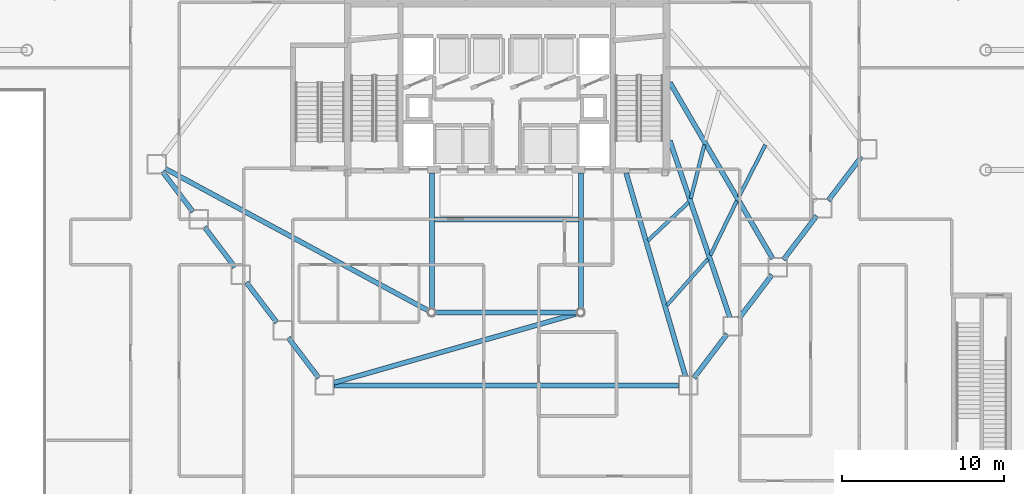
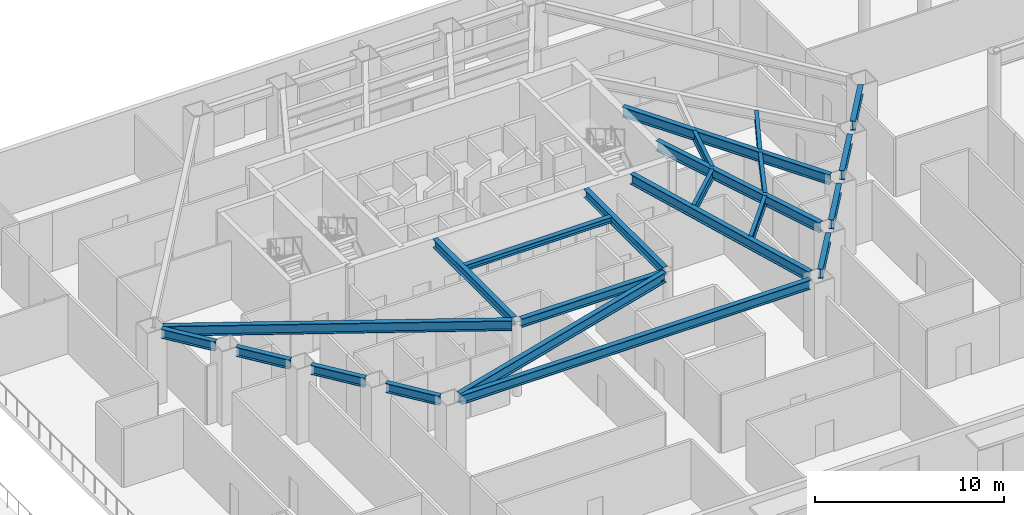
# One storey, part 9 of 31: 23 beams.
"""IFC4 building model written with IfcOpenShell, lengths in metres."""

from ifc_helpers import new_model, si_unit, direction, frame, origin, origin_2d, place, context, subcontext, project, spatial, i_section, extrude, material, material_profile, profile_set, type_object, element, save


model = new_model("IFC4")

# Units and contexts
model_context = context("Model", 3, precision=1e-05, world=origin(), true_north=direction((0.0, 1.0)))
body_context = subcontext(model_context, "Body", "Model", "MODEL_VIEW")
ifc_project = project(units=[si_unit("LENGTHUNIT", "METRE"), si_unit("AREAUNIT", "SQUARE_METRE"), si_unit("VOLUMEUNIT", "CUBIC_METRE"), si_unit("PLANEANGLEUNIT", "RADIAN"), si_unit("MASSUNIT", "GRAM", prefix="KILO")], contexts=[model_context])

# Site, building, storey
site_placement = place(None, origin())
site = spatial("IfcSite", under=ifc_project, at=site_placement, CompositionType="ELEMENT")
building_placement = place(site_placement, origin())
building = spatial("IfcBuilding", under=site, at=building_placement, Name="Zarrinselat Tower", CompositionType="ELEMENT")
storey_placement = place(building_placement, origin())
storey = spatial("IfcBuildingStorey", under=building, at=storey_placement, Name="L00", CompositionType="ELEMENT", Elevation=0.0)

# Beams
ifc_material_1 = material(Name="Steel S355J2", Category="steel")
ifc_material_profile_1 = material_profile(ifc_material_1, i_section(OverallWidth=0.300048828125, OverallDepth=0.35009765625, WebThickness=0.010009765625, FlangeThickness=0.017578125, at=origin_2d()), Name="HEA 360")
ifc_profile_set_1 = profile_set([ifc_material_profile_1], Name="Steel S355J2")
beam_type_1 = type_object("IfcBeamType", Name="BM-HEA360", PredefinedType="LINTEL", material=ifc_profile_set_1)
beam_1_placement = place(storey_placement, frame((33.93994140625, 30.14990234375, 4.64501953125), z_axis=(1.0, 0.0, 0.0), x_axis=(0.0, 1.0, 0.0)))
element("IfcBeam", 1, at=beam_1_placement, inside=storey, type_object=beam_type_1, Name="L00 Lift Lobby Ceiling Beam", PredefinedType="LINTEL", context=body_context, shape_type="SweptSolid", body=[
    extrude(i_section(OverallWidth=0.300048828125, OverallDepth=0.35009765625, WebThickness=0.010009765625, FlangeThickness=0.017578125, at=origin_2d()), origin(), (0.0, 0.0, 1.0), 8.920166015625),
])
ifc_material_2 = material(Name="Steel S355J2", Category="steel")
ifc_material_profile_2 = material_profile(ifc_material_2, i_section(OverallWidth=0.300048828125, OverallDepth=0.550048828125, WebThickness=0.014892578125, FlangeThickness=0.029052734375, at=origin_2d()), Name="HEB 550")
ifc_profile_set_2 = profile_set([ifc_material_profile_2], Name="Steel S355J2")
beam_type_2 = type_object("IfcBeamType", Name="BM-HEB550", PredefinedType="BEAM", material=ifc_profile_set_2)
beam_2_placement = place(storey_placement, frame((34.0400390625, 24.39990234375, 4.544921875), z_axis=(1.0, 0.0, 0.0), x_axis=(0.0, 1.0, 0.0)))
element("IfcBeam", 2, at=beam_2_placement, inside=storey, type_object=beam_type_2, Name="L00 Atrium Edge Beam S", PredefinedType="BEAM", context=body_context, shape_type="SweptSolid", body=[
    extrude(i_section(OverallWidth=0.300048828125, OverallDepth=0.550048828125, WebThickness=0.014892578125, FlangeThickness=0.029052734375, at=origin_2d()), origin(), (0.0, 0.0, 1.0), 8.719970703125),
])
for number, where, z_axis, x_axis, name in (
    (3, (33.800048828125, 24.639892578125, 4.544921875), (0.0, 1.0, 0.0), (-1.0, 0.0, 0.0), "L00 Atrium Edge Beam W"),
    (4, (43.0, 24.639892578125, 4.544921875), (0.0, 1.0, 0.0), (-1.0, 0.0, 0.0), "L00 Atrium Edge Beam E"),
):
    element("IfcBeam", number, at=place(storey_placement, frame(where, z_axis=z_axis, x_axis=x_axis)), inside=storey, type_object=beam_type_2, Name=name, PredefinedType="BEAM", context=body_context, shape_type="SweptSolid", body=[
        extrude(i_section(OverallWidth=0.300048828125, OverallDepth=0.550048828125, WebThickness=0.014892578125, FlangeThickness=0.029052734375, at=origin_2d()), origin(), (0.0, 0.0, 1.0), 8.3701171875),
    ])
ifc_material_3 = material(Name="Steel S355J2", Category="steel")
ifc_material_profile_3 = material_profile(ifc_material_3, i_section(OverallWidth=0.300048828125, OverallDepth=0.60009765625, WebThickness=0.015380859375, FlangeThickness=0.030029296875, at=origin_2d()), Name="HEB 600")
ifc_profile_set_3 = profile_set([ifc_material_profile_3], Name="Steel S355J2")
beam_type_3 = type_object("IfcBeamType", Name="BM-HEB600", PredefinedType="BEAM", material=ifc_profile_set_3)
for number, where, z_axis, x_axis, name in (
    (5, (17.170654296875, 33.099365234375, 4.52001953125), (0.603821437922, -0.797119609033, 0.0), (0.797119609033, 0.603821437922, 0.0), "L00 Perimeter Spandrel Girder SP06"),
    (6, (19.760009765625, 29.681396484375, 4.52001953125), (0.603821437922, -0.797119609033, 0.0), (0.797119609033, 0.603821437922, 0.0), "L00 Perimeter Spandrel Girder SP07"),
):
    element("IfcBeam", number, at=place(storey_placement, frame(where, z_axis=z_axis, x_axis=x_axis)), inside=storey, type_object=beam_type_3, Name=name, PredefinedType="BEAM", context=body_context, shape_type="SweptSolid", body=[
        extrude(i_section(OverallWidth=0.300048828125, OverallDepth=0.60009765625, WebThickness=0.015380859375, FlangeThickness=0.030029296875, at=origin_2d()), origin(), (0.0, 0.0, 1.0), 3.112060546875),
    ])
for number, where, z_axis, x_axis, name in (
    (7, (22.349365234375, 26.26318359375, 4.52001953125), (0.603859198483, -0.797091003843, 0.0), (0.797091003843, 0.603859198483, 0.0), "L00 Perimeter Spandrel Girder SP08"),
    (8, (24.938720703125, 22.84521484375, 4.52001953125), (0.603859198483, -0.797091003843, 0.0), (0.797091003843, 0.603859198483, 0.0), "L00 Perimeter Spandrel Girder SP09"),
):
    element("IfcBeam", number, at=place(storey_placement, frame(where, z_axis=z_axis, x_axis=x_axis)), inside=storey, type_object=beam_type_3, Name=name, PredefinedType="BEAM", context=body_context, shape_type="SweptSolid", body=[
        extrude(i_section(OverallWidth=0.300048828125, OverallDepth=0.60009765625, WebThickness=0.015380859375, FlangeThickness=0.030029296875, at=origin_2d()), origin(), (0.0, 0.0, 1.0), 3.11181640625),
    ])
beam_3_placement = place(storey_placement, frame((27.760986328125, 19.89599609375, 4.52001953125), z_axis=(1.0, 0.0, 0.0), x_axis=(0.0, 1.0, 0.0)))
element("IfcBeam", 9, at=beam_3_placement, inside=storey, type_object=beam_type_3, Name="L00 Perimeter Spandrel Girder SP10", PredefinedType="BEAM", context=body_context, shape_type="SweptSolid", body=[
    extrude(i_section(OverallWidth=0.300048828125, OverallDepth=0.60009765625, WebThickness=0.015380859375, FlangeThickness=0.030029296875, at=origin_2d()), origin(), (0.0, 0.0, 1.0), 21.278076171875),
])
for number, where, z_axis, x_axis, name in (
    (10, (49.982177734375, 20.36474609375, 4.52001953125), (0.603839725389, 0.797105755871, 0.0), (-0.797105755871, 0.603839725389, 0.0), "L00 Perimeter Spandrel Girder SP11"),
    (11, (52.74658203125, 24.013671875, 4.52001953125), (0.603794123872, 0.797140298804, 0.0), (-0.797140298804, 0.603794123872, 0.0), "L00 Perimeter Spandrel Girder SP12"),
    (12, (55.5107421875, 27.66259765625, 4.52001953125), (0.603839725389, 0.797105755871, 0.0), (-0.797105755871, 0.603839725389, 0.0), "L00 Perimeter Spandrel Girder SP13"),
):
    element("IfcBeam", number, at=place(storey_placement, frame(where, z_axis=z_axis, x_axis=x_axis)), inside=storey, type_object=beam_type_3, Name=name, PredefinedType="BEAM", context=body_context, shape_type="SweptSolid", body=[
        extrude(i_section(OverallWidth=0.300048828125, OverallDepth=0.60009765625, WebThickness=0.015380859375, FlangeThickness=0.030029296875, at=origin_2d()), origin(), (0.0, 0.0, 1.0), 3.40185546875),
    ])
beam_4_placement = place(storey_placement, frame((58.275146484375, 31.311767578125, 4.52001953125), z_axis=(0.603874269539, 0.797079586107, 0.0), x_axis=(-0.797079586107, 0.603874269539, 0.0)))
element("IfcBeam", 13, at=beam_4_placement, inside=storey, type_object=beam_type_3, Name="L00 Perimeter Spandrel Girder SP14", PredefinedType="BEAM", context=body_context, shape_type="SweptSolid", body=[
    extrude(i_section(OverallWidth=0.300048828125, OverallDepth=0.60009765625, WebThickness=0.015380859375, FlangeThickness=0.030029296875, at=origin_2d()), origin(), (0.0, 0.0, 1.0), 3.401611328125),
])
ifc_material_4 = material(Name="Steel S355J2", Category="steel")
ifc_material_profile_4 = material_profile(ifc_material_4, i_section(OverallWidth=0.300048828125, OverallDepth=0.64990234375, WebThickness=0.01611328125, FlangeThickness=0.031005859375, at=origin_2d()), Name="HEB 650")
ifc_profile_set_4 = profile_set([ifc_material_profile_4], Name="Steel S355J2")
beam_type_4 = type_object("IfcBeamType", Name="BM-HEB650", PredefinedType="BEAM", material=ifc_profile_set_4)
beam_5_placement = place(storey_placement, frame((17.34521484375, 33.281982421875, 4.4951171875), z_axis=(0.879987931642, -0.474996042262, 0.0), x_axis=(0.474996042262, 0.879987931642, 0.0)))
element("IfcBeam", 14, at=beam_5_placement, inside=storey, type_object=beam_type_4, Name="L00 Radial Primary Girder RG06", PredefinedType="BEAM", context=body_context, shape_type="SweptSolid", body=[
    extrude(i_section(OverallWidth=0.300048828125, OverallDepth=0.64990234375, WebThickness=0.01611328125, FlangeThickness=0.031005859375, at=origin_2d()), origin(), (0.0, 0.0, 1.0), 18.448974609375),
])
beam_6_placement = place(storey_placement, frame((27.751953125, 20.060791015625, 4.4951171875), z_axis=(0.961813317546, 0.273706306451, 0.0), x_axis=(-0.273706306451, 0.961813317546, 0.0)))
element("IfcBeam", 15, at=beam_6_placement, inside=storey, type_object=beam_type_4, Name="L00 Radial Primary Girder RG10", PredefinedType="BEAM", context=body_context, shape_type="SweptSolid", body=[
    extrude(i_section(OverallWidth=0.300048828125, OverallDepth=0.64990234375, WebThickness=0.01611328125, FlangeThickness=0.031005859375, at=origin_2d()), origin(), (0.0, 0.0, 1.0), 15.603515625),
])
beam_7_placement = place(storey_placement, frame((45.800048828125, 33.010009765625, 4.4951171875), z_axis=(0.280146446872, -0.959957274208, 0.0), x_axis=(0.959957274208, 0.280146446872, 0.0)))
element("IfcBeam", 16, at=beam_7_placement, inside=storey, type_object=beam_type_4, Name="L00 Radial Primary Girder RG11", PredefinedType="BEAM", context=body_context, shape_type="SweptSolid", body=[
    extrude(i_section(OverallWidth=0.300048828125, OverallDepth=0.64990234375, WebThickness=0.01611328125, FlangeThickness=0.031005859375, at=origin_2d()), origin(), (0.0, 0.0, 1.0), 13.05908203125),
])
beam_8_placement = place(storey_placement, frame((48.5, 35.0, 4.4951171875), z_axis=(0.321657151758, -0.946856206994, 0.0), x_axis=(0.946856206994, 0.321657151758, 0.0)))
element("IfcBeam", 17, at=beam_8_placement, inside=storey, type_object=beam_type_4, Name="L00 Radial Primary Girder RG12", PredefinedType="BEAM", context=body_context, shape_type="SweptSolid", body=[
    extrude(i_section(OverallWidth=0.300048828125, OverallDepth=0.64990234375, WebThickness=0.01611328125, FlangeThickness=0.031005859375, at=origin_2d()), origin(), (0.0, 0.0, 1.0), 11.495849609375),
])
beam_9_placement = place(storey_placement, frame((48.5, 38.60009765625, 4.4951171875), z_axis=(0.50399747949, -0.863705123678, 0.0), x_axis=(0.863705123678, 0.50399747949, 0.0)))
element("IfcBeam", 18, at=beam_9_placement, inside=storey, type_object=beam_type_4, Name="L00 Radial Primary Girder RG13", PredefinedType="BEAM", context=body_context, shape_type="SweptSolid", body=[
    extrude(i_section(OverallWidth=0.300048828125, OverallDepth=0.64990234375, WebThickness=0.01611328125, FlangeThickness=0.031005859375, at=origin_2d()), origin(), (0.0, 0.0, 1.0), 12.603759765625),
])
ifc_material_5 = material(Name="Steel S355J2", Category="steel")
ifc_material_profile_5 = material_profile(ifc_material_5, i_section(OverallWidth=0.219970703125, OverallDepth=0.60009765625, WebThickness=0.011962890625, FlangeThickness=0.01904296875, at=origin_2d()), Name="IPE 600")
ifc_profile_set_5 = profile_set([ifc_material_profile_5], Name="Steel S355J2")
beam_type_5 = type_object("IfcBeamType", Name="BM-IPE600", PredefinedType="JOIST", material=ifc_profile_set_5)
beam_10_placement = place(storey_placement, frame((48.307373046875, 24.841064453125, 4.52001953125), z_axis=(0.662804736598, 0.748792281707, 0.0), x_axis=(-0.748792281707, 0.662804736598, 0.0)))
element("IfcBeam", 19, at=beam_10_placement, inside=storey, type_object=beam_type_5, Name="L00 Composite Floor Joist 3-1", PredefinedType="JOIST", context=body_context, shape_type="SweptSolid", body=[
    extrude(i_section(OverallWidth=0.219970703125, OverallDepth=0.60009765625, WebThickness=0.011962890625, FlangeThickness=0.01904296875, at=origin_2d()), origin(), (0.0, 0.0, 1.0), 3.8330078125),
])
beam_11_placement = place(storey_placement, frame((47.145751953125, 28.843505859375, 4.52001953125), z_axis=(0.728530747555, 0.685013101967, 0.0), x_axis=(-0.685013101967, 0.728530747555, 0.0)))
element("IfcBeam", 20, at=beam_11_placement, inside=storey, type_object=beam_type_5, Name="L00 Composite Floor Joist 3-2", PredefinedType="JOIST", context=body_context, shape_type="SweptSolid", body=[
    extrude(i_section(OverallWidth=0.219970703125, OverallDepth=0.60009765625, WebThickness=0.011962890625, FlangeThickness=0.01904296875, at=origin_2d()), origin(), (0.0, 0.0, 1.0), 3.444580078125),
])
beam_12_placement = place(storey_placement, frame((51.001708984375, 27.94189453125, 4.52001953125), z_axis=(0.437666353615, 0.899137454961, 0.0), x_axis=(-0.899137454961, 0.437666353615, 0.0)))
element("IfcBeam", 21, at=beam_12_placement, inside=storey, type_object=beam_type_5, Name="L00 Composite Floor Joist 4-1", PredefinedType="JOIST", context=body_context, shape_type="SweptSolid", body=[
    extrude(i_section(OverallWidth=0.219970703125, OverallDepth=0.60009765625, WebThickness=0.011962890625, FlangeThickness=0.01904296875, at=origin_2d()), origin(), (0.0, 0.0, 1.0), 3.722900390625),
])
beam_13_placement = place(storey_placement, frame((49.791259765625, 31.434814453125, 4.52001953125), z_axis=(0.243205254387, 0.96997484722, 0.0), x_axis=(-0.96997484722, 0.243205254387, 0.0)))
element("IfcBeam", 22, at=beam_13_placement, inside=storey, type_object=beam_type_5, Name="L00 Composite Floor Joist 4-2", PredefinedType="JOIST", context=body_context, shape_type="SweptSolid", body=[
    extrude(i_section(OverallWidth=0.219970703125, OverallDepth=0.60009765625, WebThickness=0.011962890625, FlangeThickness=0.01904296875, at=origin_2d()), origin(), (0.0, 0.0, 1.0), 3.43115234375),
])
beam_14_placement = place(storey_placement, frame((52.756103515625, 31.539794921875, 4.52001953125), z_axis=(0.455144518373, 0.890417580349, 0.0), x_axis=(-0.890417580349, 0.455144518373, 0.0)))
element("IfcBeam", 23, at=beam_14_placement, inside=storey, type_object=beam_type_5, Name="L00 Composite Floor Joist 5-1", PredefinedType="JOIST", context=body_context, shape_type="SweptSolid", body=[
    extrude(i_section(OverallWidth=0.219970703125, OverallDepth=0.60009765625, WebThickness=0.011962890625, FlangeThickness=0.01904296875, at=origin_2d()), origin(), (0.0, 0.0, 1.0), 3.599853515625),
])

save(model, "model.ifc")
